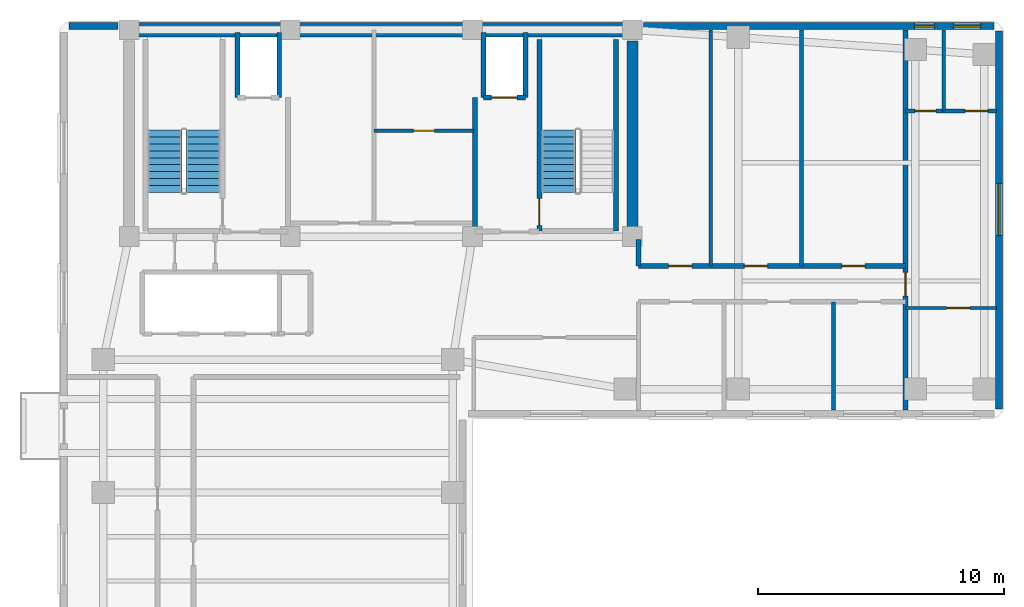
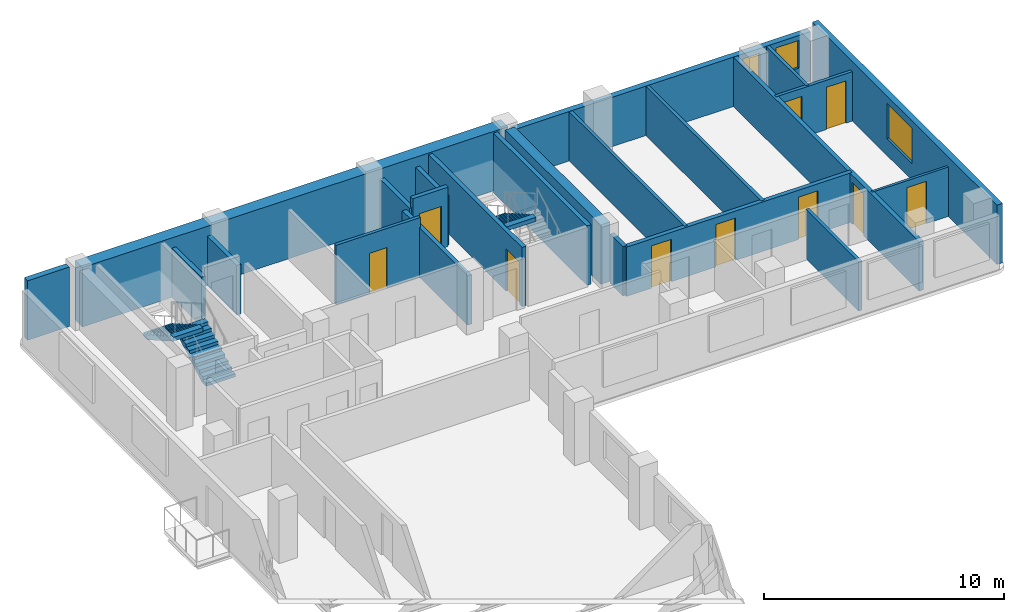
# One storey, part 4 of 7: 23 walls, 10 doors, 3 stair flights, 3 windows, 13 openings, 2 elements without a shape of their own.
"""IFC4 building model written with IfcOpenShell, lengths in metres."""

from ifc_helpers import new_model, si_unit, direction, frame, frame_2d, origin, place, context, subcontext, project, spatial, polyline, rectangle, outline, extrude, material, layer, layer_set, type_object, element, fill, aggregate, save


model = new_model("IFC4")

# Units and contexts
model_context = context("Model", 3, precision=1e-05, world=origin(), true_north=direction((0.0, 1.0)))
body_context = subcontext(model_context, "Body", "Model", "MODEL_VIEW")
ifc_project = project(units=[si_unit("LENGTHUNIT", "METRE"), si_unit("AREAUNIT", "SQUARE_METRE"), si_unit("VOLUMEUNIT", "CUBIC_METRE"), si_unit("PLANEANGLEUNIT", "RADIAN"), si_unit("MASSUNIT", "GRAM", prefix="KILO")], contexts=[model_context])

# Site, building, storey
site_placement = place(None, origin())
site = spatial("IfcSite", under=ifc_project, at=site_placement, CompositionType="ELEMENT")
building_placement = place(site_placement, origin())
building = spatial("IfcBuilding", under=site, at=building_placement, Name="Kuzgunbayir Cultural Tower", CompositionType="ELEMENT")
storey_placement = place(building_placement, frame((0.0, 0.0, 192.0)))
storey = spatial("IfcBuildingStorey", under=building, at=storey_placement, Name="L56", CompositionType="ELEMENT", Elevation=192.0)

# Walls
ifc_material_1 = material(Name="Concrete C50/60", Category="concrete")
ifc_layer_1 = layer(ifc_material_1, 0.449951171875)
ifc_layer_set_1 = layer_set([ifc_layer_1], Name="Concrete C50/60")
wall_type_1 = type_object("IfcWallType", Name="WAL-CORE-450", PredefinedType="SHEAR", material=ifc_layer_set_1)
wall_1_placement = place(storey_placement, frame((26.89990234375, 33.800048828125, 0.0), z_axis=(0.0, 0.0, 1.0), x_axis=(0.0, 1.0, 0.0)))
element("IfcWall", 1, at=wall_1_placement, inside=storey, type_object=wall_type_1, Name="L56 T1 Core East Shear Wall", PredefinedType="SHEAR", context=body_context, shape_type="SweptSolid", body=[
    extrude(rectangle(XDim=7.949951171875, YDim=0.449951171875, at=frame_2d((3.97509765625, 0.0))), origin(), (0.0, 0.0, 1.0), 3.02001953125),
])
ifc_material_2 = material(Name="Concrete C60/75", Category="concrete")
ifc_layer_2 = layer(ifc_material_2, 0.60009765625)
ifc_layer_set_2 = layer_set([ifc_layer_2], Name="Concrete C60/75")
wall_type_2 = type_object("IfcWallType", Name="WAL-CORE-600", PredefinedType="SHEAR", material=ifc_layer_set_2)
wall_2_placement = place(storey_placement, frame((6.449951171875, 42.199951171875, 0.0), z_axis=(0.0, 0.0, 1.0), x_axis=(1.0, 0.0, 0.0)))
element("IfcWall", 2, at=wall_2_placement, inside=storey, type_object=wall_type_2, Name="L56 T1 Core North Shear Wall", PredefinedType="SHEAR", context=body_context, shape_type="SweptSolid", body=[
    extrude(rectangle(XDim=20.449951171875, YDim=0.60009765625, at=frame_2d((10.22509765625, 0.0))), origin(), (0.0, 0.0, 1.0), 3.02001953125),
])

# Wall, openings, windows
ifc_material_3 = material(Name="Anatolian Cream Limestone", Category="masonry")
ifc_layer_3 = layer(ifc_material_3, 0.280029296875)
ifc_layer_set_3 = layer_set([ifc_layer_3], Name="Anatolian Cream Limestone")
wall_type_3 = type_object("IfcWallType", Name="WAL-EXT-STONE-280", PredefinedType="STANDARD", material=ifc_layer_set_3)
wall_3_placement = place(storey_placement, frame((41.60009765625, 42.35009765625, 0.0), z_axis=(0.0, 0.0, 1.0), x_axis=(-1.0, 0.0, 0.0)))
wall_3 = element("IfcWall", 3, at=wall_3_placement, inside=storey, type_object=wall_type_3, Name="L56 North Wing B Limestone Wall", PredefinedType="STANDARD", context=body_context, shape_type="SweptSolid", body=[
    extrude(rectangle(XDim=14.25, YDim=0.280029296875, at=frame_2d((7.125, 0.0))), origin(), (0.0, 0.0, 1.0), 2.510009765625),
])
opening_1_placement = place(wall_3_placement, frame((2.429931640625, 0.0, 0.85009765625)))
opening_1 = element("IfcOpeningElement", 4, at=opening_1_placement, cuts=wall_3, Name="Opening WN-08", PredefinedType="OPENING", context=body_context, shape_type="SweptSolid", body=[
    extrude(rectangle(XDim=0.800048828125, YDim=1.409912109375, at=frame_2d((0.39990234375, 0.705078125))), frame((0.0, 0.14990234375, 0.0), z_axis=(0.0, -1.0, 0.0), x_axis=(1.0, 0.0, 0.0)), (0.0, 0.0, 1.0), 0.300048828125),
])
opening_2_placement = place(wall_3_placement, frame((0.550048828125, 0.0, 0.85009765625)))
opening_2 = element("IfcOpeningElement", 5, at=opening_2_placement, cuts=wall_3, Name="Opening WN-11", PredefinedType="OPENING", context=body_context, shape_type="SweptSolid", body=[
    extrude(rectangle(XDim=1.10009765625, YDim=1.409912109375, at=frame_2d((0.550048828125, 0.705078125))), frame((0.0, 0.14990234375, 0.0), z_axis=(0.0, -1.0, 0.0), x_axis=(1.0, 0.0, 0.0)), (0.0, 0.0, 1.0), 0.300048828125),
])
ifc_material_4 = material(Name="Solar-Control Triple Glazing", Category="glass")
window_type_1 = type_object("IfcWindowType", Name="WIN-NARROW-11", PartitioningType="SINGLE_PANEL", PredefinedType="WINDOW", material=ifc_material_4)
window_1_placement = place(opening_2_placement, origin())
window_1 = element("IfcWindow", 6, at=window_1_placement, inside=storey, type_object=window_type_1, Name="L56 CRN Facade Window 9", OverallHeight=1.409912109375, OverallWidth=1.10009765625, PartitioningType="SINGLE_PANEL", PredefinedType="WINDOW", context=body_context, shape_type="SweptSolid", body=[
    extrude(rectangle(XDim=1.10009765625, YDim=1.409912109375, at=frame_2d((0.550048828125, 0.705078125))), frame((0.0, 0.030029296875, 0.0), z_axis=(0.0, -1.0, 0.0), x_axis=(1.0, 0.0, 0.0)), (0.0, 0.0, 1.0), 0.06005859375),
])
fill(opening_2, window_1)
window_type_2 = type_object("IfcWindowType", Name="WIN-NARROW-80", PartitioningType="SINGLE_PANEL", PredefinedType="WINDOW", material=ifc_material_4)
window_2_placement = place(opening_1_placement, origin())
window_2 = element("IfcWindow", 7, at=window_2_placement, inside=storey, type_object=window_type_2, Name="L56 CRN Facade Window 8", OverallHeight=1.409912109375, OverallWidth=0.800048828125, PartitioningType="SINGLE_PANEL", PredefinedType="WINDOW", context=body_context, shape_type="SweptSolid", body=[
    extrude(rectangle(XDim=0.800048828125, YDim=1.409912109375, at=frame_2d((0.39990234375, 0.705078125))), frame((0.0, 0.030029296875, 0.0), z_axis=(0.0, -1.0, 0.0), x_axis=(1.0, 0.0, 0.0)), (0.0, 0.0, 1.0), 0.06005859375),
])
fill(opening_1, window_2)

# Wall
wall_4_placement = place(storey_placement, frame((6.0, 42.35009765625, 0.0), z_axis=(0.0, 0.0, 1.0), x_axis=(-1.0, 0.0, 0.0)))
element("IfcWall", 8, at=wall_4_placement, inside=storey, type_object=wall_type_3, Name="L56 Core North-West Spandrel Link", PredefinedType="STANDARD", context=body_context, shape_type="SweptSolid", body=[
    extrude(rectangle(XDim=2.0, YDim=0.280029296875, at=frame_2d((1.0, 0.0))), origin(), (0.0, 0.0, 1.0), 3.02001953125),
])

# Wall, opening, window
wall_5_placement = place(storey_placement, frame((41.800048828125, 26.800048828125, 0.0), z_axis=(0.0, 0.0, 1.0), x_axis=(0.0, 1.0, 0.0)))
wall_5 = element("IfcWall", 9, at=wall_5_placement, inside=storey, type_object=wall_type_3, Name="L56 Wing B East Limestone Wall", PredefinedType="STANDARD", context=body_context, shape_type="SweptSolid", body=[
    extrude(rectangle(XDim=15.349853515625, YDim=0.280029296875, at=frame_2d((7.6748046875, 0.0))), origin(), (0.0, 0.0, 1.0), 3.02001953125),
])
opening_3_placement = place(wall_5_placement, frame((7.050048828125, 0.0, 0.85009765625)))
opening_3 = element("IfcOpeningElement", 10, at=opening_3_placement, cuts=wall_5, Name="Opening WR-21", PredefinedType="OPENING", context=body_context, shape_type="SweptSolid", body=[
    extrude(rectangle(XDim=2.10009765625, YDim=1.800048828125, at=frame_2d((1.050048828125, 0.89990234375))), frame((0.0, 0.14990234375, 0.0), z_axis=(0.0, -1.0, 0.0), x_axis=(1.0, 0.0, 0.0)), (0.0, 0.0, 1.0), 0.300048828125),
])
window_type_3 = type_object("IfcWindowType", Name="WIN-RESID-21", PartitioningType="SINGLE_PANEL", PredefinedType="WINDOW", material=ifc_material_4)
window_3_placement = place(opening_3_placement, origin())
window_3 = element("IfcWindow", 11, at=window_3_placement, inside=storey, type_object=window_type_3, Name="L56 WBE Facade Window 6", OverallHeight=1.800048828125, OverallWidth=2.10009765625, PartitioningType="SINGLE_PANEL", PredefinedType="WINDOW", context=body_context, shape_type="SweptSolid", body=[
    extrude(rectangle(XDim=2.10009765625, YDim=1.800048828125, at=frame_2d((1.050048828125, 0.89990234375))), frame((0.0, 0.030029296875, 0.0), z_axis=(0.0, -1.0, 0.0), x_axis=(1.0, 0.0, 0.0)), (0.0, 0.0, 1.0), 0.06005859375),
])
fill(opening_3, window_3)

# Wall, opening, door
ifc_material_5 = material(Name="Acoustic Double-Stud Drywall", Category="gypsum")
ifc_layer_4 = layer(ifc_material_5, 0.14990234375)
ifc_layer_set_4 = layer_set([ifc_layer_4], Name="Acoustic Double-Stud Drywall")
wall_type_4 = type_object("IfcWallType", Name="WAL-PART-ACOUSTIC-150", PredefinedType="PARTITIONING", material=ifc_layer_set_4)
wall_6_placement = place(storey_placement, frame((16.39990234375, 38.10009765625, 0.0), z_axis=(0.0, 0.0, 1.0), x_axis=(1.0, 0.0, 0.0)))
wall_6 = element("IfcWall", 12, at=wall_6_placement, inside=storey, type_object=wall_type_4, Name="L56 Sky Core Mid Divider", PredefinedType="PARTITIONING", context=body_context, shape_type="SweptSolid", body=[
    extrude(rectangle(XDim=4.050048828125, YDim=0.14990234375, at=frame_2d((2.02490234375, 0.0))), origin(), (0.0, 0.0, 1.0), 3.02001953125),
])
opening_4_placement = place(wall_6_placement, frame((1.60009765625, 0.0, 0.0)))
opening_4 = element("IfcOpeningElement", 13, at=opening_4_placement, cuts=wall_6, Name="Opening DC-85", PredefinedType="OPENING", context=body_context, shape_type="SweptSolid", body=[
    extrude(rectangle(XDim=0.85009765625, YDim=2.050048828125, at=frame_2d((0.425048828125, 1.02490234375))), frame((0.0, 0.0849609375, 0.0), z_axis=(0.0, -1.0, 0.0), x_axis=(1.0, 0.0, 0.0)), (0.0, 0.0, 1.0), 0.169921875),
])
ifc_material_6 = material(Name="Fire-Rated Veneered Oak Leaf", Category="wood")
door_type_1 = type_object("IfcDoorType", Name="DR-CORE-85", OperationType="NOTDEFINED", PredefinedType="DOOR", material=ifc_material_6)
door_1_placement = place(opening_4_placement, origin())
door_1 = element("IfcDoor", 14, at=door_1_placement, inside=storey, type_object=door_type_1, Name="L56 Meditation Room Door", OperationType="SINGLE_SWING_LEFT", OverallHeight=2.050048828125, OverallWidth=0.85009765625, PredefinedType="DOOR", context=body_context, shape_type="SweptSolid", body=[
    extrude(rectangle(XDim=0.85009765625, YDim=2.050048828125, at=frame_2d((0.425048828125, 1.02490234375))), frame((0.0, 0.02490234375, 0.0), z_axis=(0.0, -1.0, 0.0), x_axis=(1.0, 0.0, 0.0)), (0.0, 0.0, 1.0), 0.050048828125),
])
fill(opening_4, door_1)

# Walls
wall_7_placement = place(storey_placement, frame((35.070068359375, 26.75, 0.0), z_axis=(0.0, 0.0, 1.0), x_axis=(0.0, 1.0, 0.0)))
element("IfcWall", 15, at=wall_7_placement, inside=storey, type_object=wall_type_4, Name="L56 Wing B South Divider 2", PredefinedType="PARTITIONING", context=body_context, shape_type="SweptSolid", body=[
    extrude(rectangle(XDim=4.39990234375, YDim=0.14990234375, at=frame_2d((2.199951171875, 0.0))), origin(), (0.0, 0.0, 1.0), 2.510009765625),
])
for number, where, z_axis, x_axis, name in (
    (16, (30.080078125, 32.60009765625, 0.0), (0.0, 0.0, 1.0), (0.0, 1.0, 0.0), "L56 Wing B North Divider 1"),
    (17, (33.77001953125, 32.60009765625, 0.0), (0.0, 0.0, 1.0), (0.0, 1.0, 0.0), "L56 Wing B North Divider 2"),
):
    element("IfcWall", number, at=place(storey_placement, frame(where, z_axis=z_axis, x_axis=x_axis)), inside=storey, type_object=wall_type_4, Name=name, PredefinedType="PARTITIONING", context=body_context, shape_type="SweptSolid", body=[
        extrude(rectangle(XDim=9.599853515625, YDim=0.14990234375, at=frame_2d((4.7998046875, 0.0))), origin(), (0.0, 0.0, 1.0), 2.510009765625),
    ])
ifc_material_7 = material(Name="Aerated Concrete Blockwork", Category="masonry")
ifc_layer_5 = layer(ifc_material_7, 0.199951171875)
ifc_layer_set_5 = layer_set([ifc_layer_5], Name="Aerated Concrete Blockwork")
wall_type_5 = type_object("IfcWallType", Name="WAL-PART-FIRE-200", PredefinedType="PARTITIONING", material=ifc_layer_set_5)
wall_8_placement = place(storey_placement, frame((20.5, 34.0, 0.0), z_axis=(0.0, 0.0, 1.0), x_axis=(0.0, 1.0, 0.0)))
element("IfcWall", 18, at=wall_8_placement, inside=storey, type_object=wall_type_5, Name="L56 FFL-2 Lobby West Fire Wall", PredefinedType="PARTITIONING", context=body_context, shape_type="SweptSolid", body=[
    extrude(rectangle(XDim=5.449951171875, YDim=0.199951171875, at=frame_2d((2.72509765625, 0.0))), origin(), (0.0, 0.0, 1.0), 2.510009765625),
])

# Wall, openings, doors
wall_9_placement = place(storey_placement, frame((27.14990234375, 32.60009765625, 0.0), z_axis=(0.0, 0.0, 1.0), x_axis=(1.0, 0.0, 0.0)))
wall_9 = element("IfcWall", 19, at=wall_9_placement, inside=storey, type_object=wall_type_5, Name="L56 Wing B Residence Corridor North Wall", PredefinedType="PARTITIONING", context=body_context, shape_type="SweptSolid", body=[
    extrude(rectangle(XDim=10.85009765625, YDim=0.199951171875, at=frame_2d((5.425048828125, 0.0))), origin(), (0.0, 0.0, 1.0), 2.510009765625),
])
opening_5_placement = place(wall_9_placement, frame((1.219970703125, 0.0, 0.0)))
opening_5 = element("IfcOpeningElement", 20, at=opening_5_placement, cuts=wall_9, Name="Opening DI-90", PredefinedType="OPENING", context=body_context, shape_type="SweptSolid", body=[
    extrude(rectangle(XDim=0.949951171875, YDim=2.14990234375, at=frame_2d((0.47509765625, 1.074951171875))), frame((0.0, 0.10986328125, 0.0), z_axis=(0.0, -1.0, 0.0), x_axis=(1.0, 0.0, 0.0)), (0.0, 0.0, 1.0), 0.219970703125),
])
opening_6_placement = place(wall_9_placement, frame((4.300048828125, 0.0, 0.0)))
opening_6 = element("IfcOpeningElement", 21, at=opening_6_placement, cuts=wall_9, Name="Opening DI-90", PredefinedType="OPENING", context=body_context, shape_type="SweptSolid", body=[
    extrude(rectangle(XDim=0.949951171875, YDim=2.14990234375, at=frame_2d((0.47509765625, 1.074951171875))), frame((0.0, 0.10986328125, 0.0), z_axis=(0.0, -1.0, 0.0), x_axis=(1.0, 0.0, 0.0)), (0.0, 0.0, 1.0), 0.219970703125),
])
opening_7_placement = place(wall_9_placement, frame((8.260009765625, 0.0, 0.0)))
opening_7 = element("IfcOpeningElement", 22, at=opening_7_placement, cuts=wall_9, Name="Opening DI-90", PredefinedType="OPENING", context=body_context, shape_type="SweptSolid", body=[
    extrude(rectangle(XDim=0.949951171875, YDim=2.14990234375, at=frame_2d((0.47509765625, 1.074951171875))), frame((0.0, 0.10986328125, 0.0), z_axis=(0.0, -1.0, 0.0), x_axis=(1.0, 0.0, 0.0)), (0.0, 0.0, 1.0), 0.219970703125),
])
ifc_material_8 = material(Name="Veneered Oak Single Leaf", Category="wood")
door_type_2 = type_object("IfcDoorType", Name="DR-INT-90", OperationType="NOTDEFINED", PredefinedType="DOOR", material=ifc_material_8)
door_2_placement = place(opening_5_placement, origin())
door_2 = element("IfcDoor", 23, at=door_2_placement, inside=storey, type_object=door_type_2, Name="L56 Residents Art Publication Salon 1 Door", OperationType="SINGLE_SWING_RIGHT", OverallHeight=2.14990234375, OverallWidth=0.949951171875, PredefinedType="DOOR", context=body_context, shape_type="SweptSolid", body=[
    extrude(rectangle(XDim=0.949951171875, YDim=2.14990234375, at=frame_2d((0.47509765625, 1.074951171875))), frame((0.0, 0.02490234375, 0.0), z_axis=(0.0, -1.0, 0.0), x_axis=(1.0, 0.0, 0.0)), (0.0, 0.0, 1.0), 0.050048828125),
])
fill(opening_5, door_2)
door_3_placement = place(opening_6_placement, origin())
door_3 = element("IfcDoor", 24, at=door_3_placement, inside=storey, type_object=door_type_2, Name="L56 Residents Culinary Tasting Pantry 2 Door", OperationType="SINGLE_SWING_LEFT", OverallHeight=2.14990234375, OverallWidth=0.949951171875, PredefinedType="DOOR", context=body_context, shape_type="SweptSolid", body=[
    extrude(rectangle(XDim=0.949951171875, YDim=2.14990234375, at=frame_2d((0.47509765625, 1.074951171875))), frame((0.0, 0.02490234375, 0.0), z_axis=(0.0, -1.0, 0.0), x_axis=(1.0, 0.0, 0.0)), (0.0, 0.0, 1.0), 0.050048828125),
])
fill(opening_6, door_3)
door_4_placement = place(opening_7_placement, origin())
door_4 = element("IfcDoor", 25, at=door_4_placement, inside=storey, type_object=door_type_2, Name="L56 Residents Fellows Reading Lounge 3 Door", OperationType="SINGLE_SWING_RIGHT", OverallHeight=2.14990234375, OverallWidth=0.949951171875, PredefinedType="DOOR", context=body_context, shape_type="SweptSolid", body=[
    extrude(rectangle(XDim=0.949951171875, YDim=2.14990234375, at=frame_2d((0.47509765625, 1.074951171875))), frame((0.0, 0.02490234375, 0.0), z_axis=(0.0, -1.0, 0.0), x_axis=(1.0, 0.0, 0.0)), (0.0, 0.0, 1.0), 0.050048828125),
])
fill(opening_7, door_4)

# Wall
wall_10_placement = place(storey_placement, frame((27.14990234375, 32.60009765625, 0.0), z_axis=(0.0, 0.0, 1.0), x_axis=(0.0, 1.0, 0.0)))
element("IfcWall", 26, at=wall_10_placement, inside=storey, type_object=wall_type_5, Name="L56 Wing B Residence North Core Closure Wall", PredefinedType="PARTITIONING", context=body_context, shape_type="SweptSolid", body=[
    extrude(rectangle(XDim=1.079833984375, YDim=0.199951171875, at=frame_2d((0.5400390625, 0.0))), origin(), (0.0, 0.0, 1.0), 2.510009765625),
])

# Wall, opening, door
wall_11_placement = place(storey_placement, frame((38.0, 26.75, 0.0), z_axis=(0.0, 0.0, 1.0), x_axis=(0.0, 1.0, 0.0)))
wall_11 = element("IfcWall", 27, at=wall_11_placement, inside=storey, type_object=wall_type_5, Name="L56 Apartment D Party Wall", PredefinedType="PARTITIONING", context=body_context, shape_type="SweptSolid", body=[
    extrude(rectangle(XDim=15.449951171875, YDim=0.199951171875, at=frame_2d((7.72509765625, 0.0))), origin(), (0.0, 0.0, 1.0), 2.510009765625),
])
opening_8_placement = place(wall_11_placement, frame((4.639892578125, 0.0, 0.0)))
opening_8 = element("IfcOpeningElement", 28, at=opening_8_placement, cuts=wall_11, Name="Opening DR-APT-60", PredefinedType="OPENING", context=body_context, shape_type="SweptSolid", body=[
    extrude(rectangle(XDim=0.949951171875, YDim=2.14990234375, at=frame_2d((0.47509765625, 1.074951171875))), frame((0.0, 0.10986328125, 0.0), z_axis=(0.0, -1.0, 0.0), x_axis=(1.0, 0.0, 0.0)), (0.0, 0.0, 1.0), 0.219970703125),
])
ifc_material_9 = material(Name="Acoustic Fire Timber Leaf", Category="wood")
door_type_3 = type_object("IfcDoorType", Name="DR-APT-60", OperationType="NOTDEFINED", PredefinedType="DOOR", material=ifc_material_9)
door_5_placement = place(opening_8_placement, origin())
door_5 = element("IfcDoor", 29, at=door_5_placement, inside=storey, type_object=door_type_3, Name="L56 Apartment D Entrance", OperationType="SINGLE_SWING_LEFT", OverallHeight=2.14990234375, OverallWidth=0.949951171875, PredefinedType="DOOR", context=body_context, shape_type="SweptSolid", body=[
    extrude(rectangle(XDim=0.949951171875, YDim=2.14990234375, at=frame_2d((0.47509765625, 1.074951171875))), frame((0.0, 0.02490234375, 0.0), z_axis=(0.0, -1.0, 0.0), x_axis=(1.0, 0.0, 0.0)), (0.0, 0.0, 1.0), 0.050048828125),
])
fill(opening_8, door_5)

ifc_material_10 = material(Name="Framed Gypsum Partition", Category="gypsum")
ifc_layer_6 = layer(ifc_material_10, 0.1201171875)
ifc_layer_set_6 = layer_set([ifc_layer_6], Name="Framed Gypsum Partition")
wall_type_6 = type_object("IfcWallType", Name="WAL-PART-INT-120", PredefinedType="PARTITIONING", material=ifc_layer_set_6)
wall_12_placement = place(storey_placement, frame((38.0, 30.89990234375, 0.0), z_axis=(0.0, 0.0, 1.0), x_axis=(1.0, 0.0, 0.0)))
wall_12 = element("IfcWall", 30, at=wall_12_placement, inside=storey, type_object=wall_type_6, Name="L56 Flat D Bedroom Wall", PredefinedType="PARTITIONING", context=body_context, shape_type="SweptSolid", body=[
    extrude(rectangle(XDim=3.699951171875, YDim=0.1201171875, at=frame_2d((1.85009765625, 0.0))), origin(), (0.0, 0.0, 1.0), 2.510009765625),
])
opening_9_placement = place(wall_12_placement, frame((1.669921875, 0.0, 0.0)))
opening_9 = element("IfcOpeningElement", 31, at=opening_9_placement, cuts=wall_12, Name="Opening DI-90", PredefinedType="OPENING", context=body_context, shape_type="SweptSolid", body=[
    extrude(rectangle(XDim=0.949951171875, YDim=2.14990234375, at=frame_2d((0.47509765625, 1.074951171875))), frame((0.0, 0.070068359375, 0.0), z_axis=(0.0, -1.0, 0.0), x_axis=(1.0, 0.0, 0.0)), (0.0, 0.0, 1.0), 0.14013671875),
])
door_6_placement = place(opening_9_placement, origin())
door_6 = element("IfcDoor", 32, at=door_6_placement, inside=storey, type_object=door_type_2, Name="L56 Apartment D Bedroom Door", OperationType="SINGLE_SWING_RIGHT", OverallHeight=2.14990234375, OverallWidth=0.949951171875, PredefinedType="DOOR", context=body_context, shape_type="SweptSolid", body=[
    extrude(rectangle(XDim=0.949951171875, YDim=2.14990234375, at=frame_2d((0.47509765625, 1.074951171875))), frame((0.0, 0.02490234375, 0.0), z_axis=(0.0, -1.0, 0.0), x_axis=(1.0, 0.0, 0.0)), (0.0, 0.0, 1.0), 0.050048828125),
])
fill(opening_9, door_6)

# Wall, openings, doors
ifc_material_11 = material(Name="Moisture-Resistant Tile Partition", Category="gypsum")
ifc_layer_7 = layer(ifc_material_11, 0.14990234375)
ifc_layer_set_7 = layer_set([ifc_layer_7], Name="Moisture-Resistant Tile Partition")
wall_type_7 = type_object("IfcWallType", Name="WAL-PART-WET-150", PredefinedType="PARTITIONING", material=ifc_layer_set_7)
wall_13_placement = place(storey_placement, frame((38.0, 38.89990234375, 0.0), z_axis=(0.0, 0.0, 1.0), x_axis=(1.0, 0.0, 0.0)))
wall_13 = element("IfcWall", 33, at=wall_13_placement, inside=storey, type_object=wall_type_7, Name="L56 Flat D Service Wall", PredefinedType="PARTITIONING", context=body_context, shape_type="SweptSolid", body=[
    extrude(rectangle(XDim=3.699951171875, YDim=0.14990234375, at=frame_2d((1.85009765625, 0.0))), origin(), (0.0, 0.0, 1.0), 2.510009765625),
])
opening_10_placement = place(wall_13_placement, frame((0.3798828125, 0.0, 0.0)))
opening_10 = element("IfcOpeningElement", 34, at=opening_10_placement, cuts=wall_13, Name="Opening DW-85", PredefinedType="OPENING", context=body_context, shape_type="SweptSolid", body=[
    extrude(rectangle(XDim=0.85009765625, YDim=2.10009765625, at=frame_2d((0.425048828125, 1.050048828125))), frame((0.0, 0.0849609375, 0.0), z_axis=(0.0, -1.0, 0.0), x_axis=(1.0, 0.0, 0.0)), (0.0, 0.0, 1.0), 0.169921875),
])
opening_11_placement = place(wall_13_placement, frame((2.409912109375, 0.0, 0.0)))
opening_11 = element("IfcOpeningElement", 35, at=opening_11_placement, cuts=wall_13, Name="Opening DI-90", PredefinedType="OPENING", context=body_context, shape_type="SweptSolid", body=[
    extrude(rectangle(XDim=0.949951171875, YDim=2.14990234375, at=frame_2d((0.47509765625, 1.074951171875))), frame((0.0, 0.0849609375, 0.0), z_axis=(0.0, -1.0, 0.0), x_axis=(1.0, 0.0, 0.0)), (0.0, 0.0, 1.0), 0.169921875),
])
door_7_placement = place(opening_11_placement, origin())
door_7 = element("IfcDoor", 36, at=door_7_placement, inside=storey, type_object=door_type_2, Name="L56 Apartment D Kitchen Door", OperationType="SINGLE_SWING_RIGHT", OverallHeight=2.14990234375, OverallWidth=0.949951171875, PredefinedType="DOOR", context=body_context, shape_type="SweptSolid", body=[
    extrude(rectangle(XDim=0.949951171875, YDim=2.14990234375, at=frame_2d((0.47509765625, 1.074951171875))), frame((0.0, 0.02490234375, 0.0), z_axis=(0.0, -1.0, 0.0), x_axis=(1.0, 0.0, 0.0)), (0.0, 0.0, 1.0), 0.050048828125),
])
fill(opening_11, door_7)
ifc_material_12 = material(Name="Laminate Moisture-Resistant Leaf", Category="wood")
door_type_4 = type_object("IfcDoorType", Name="DR-WET-85", OperationType="NOTDEFINED", PredefinedType="DOOR", material=ifc_material_12)
door_8_placement = place(opening_10_placement, origin())
door_8 = element("IfcDoor", 37, at=door_8_placement, inside=storey, type_object=door_type_4, Name="L56 Apartment D Bathroom Door", OperationType="SINGLE_SWING_LEFT", OverallHeight=2.10009765625, OverallWidth=0.85009765625, PredefinedType="DOOR", context=body_context, shape_type="SweptSolid", body=[
    extrude(rectangle(XDim=0.85009765625, YDim=2.10009765625, at=frame_2d((0.425048828125, 1.050048828125))), frame((0.0, 0.02490234375, 0.0), z_axis=(0.0, -1.0, 0.0), x_axis=(1.0, 0.0, 0.0)), (0.0, 0.0, 1.0), 0.050048828125),
])
fill(opening_10, door_8)

# Wall
wall_14_placement = place(storey_placement, frame((39.550048828125, 38.89990234375, 0.0), z_axis=(0.0, 0.0, 1.0), x_axis=(0.0, 1.0, 0.0)))
element("IfcWall", 38, at=wall_14_placement, inside=storey, type_object=wall_type_7, Name="L56 Flat D Bath Divider", PredefinedType="PARTITIONING", context=body_context, shape_type="SweptSolid", body=[
    extrude(rectangle(XDim=3.300048828125, YDim=0.14990234375, at=frame_2d((1.64990234375, 0.0))), origin(), (0.0, 0.0, 1.0), 2.510009765625),
])

# Wall, opening, door
ifc_material_13 = material(Name="Concrete C40/50", Category="concrete")
ifc_layer_8 = layer(ifc_material_13, 0.199951171875)
ifc_layer_set_8 = layer_set([ifc_layer_8], Name="Concrete C40/50")
wall_type_8 = type_object("IfcWallType", Name="WAL-SHAFT-200", PredefinedType="MOVABLE", material=ifc_layer_set_8)
wall_15_placement = place(storey_placement, frame((20.85009765625, 39.449951171875, 0.0), z_axis=(0.0, 0.0, 1.0), x_axis=(1.0, 0.0, 0.0)))
wall_15 = element("IfcWall", 39, at=wall_15_placement, inside=storey, type_object=wall_type_8, Name="L56 FFL-2 Lift Front Wall", PredefinedType="MOVABLE", context=body_context, shape_type="SweptSolid", body=[
    extrude(rectangle(XDim=1.699951171875, YDim=0.199951171875, at=frame_2d((0.85009765625, 0.0))), origin(), (0.0, 0.0, 1.0), 3.02001953125),
])
opening_12_placement = place(wall_15_placement, frame((0.320068359375, 0.0, 0.0)))
opening_12 = element("IfcOpeningElement", 40, at=opening_12_placement, cuts=wall_15, Name="Opening LD", PredefinedType="OPENING", context=body_context, shape_type="SweptSolid", body=[
    extrude(rectangle(XDim=1.050048828125, YDim=2.14990234375, at=frame_2d((0.52490234375, 1.074951171875))), frame((0.0, 0.10986328125, 0.0), z_axis=(0.0, -1.0, 0.0), x_axis=(1.0, 0.0, 0.0)), (0.0, 0.0, 1.0), 0.219970703125),
])
ifc_material_14 = material(Name="Brushed Stainless Steel", Category="steel")
door_type_5 = type_object("IfcDoorType", Name="DR-LIFT-LANDING", OperationType="SLIDING_TO_LEFT", PredefinedType="DOOR", material=ifc_material_14)
door_9_placement = place(opening_12_placement, origin())
door_9 = element("IfcDoor", 41, at=door_9_placement, inside=storey, type_object=door_type_5, Name="L56 Lift FFL-2 Landing Door", OperationType="SLIDING_TO_LEFT", OverallHeight=2.14990234375, OverallWidth=1.050048828125, PredefinedType="DOOR", context=body_context, shape_type="SweptSolid", body=[
    extrude(rectangle(XDim=1.050048828125, YDim=2.14990234375, at=frame_2d((0.52490234375, 1.074951171875))), frame((0.0, 0.02490234375, 0.0), z_axis=(0.0, -1.0, 0.0), x_axis=(1.0, 0.0, 0.0)), (0.0, 0.0, 1.0), 0.050048828125),
])
fill(opening_12, door_9)

# Walls
for number, where, z_axis, x_axis, name in (
    (42, (10.85009765625, 39.449951171875, 0.0), (0.0, 0.0, 1.0), (0.0, 1.0, 0.0), "L56 FFL-1 Shaft West Wall"),
    (43, (12.550048828125, 39.449951171875, 0.0), (0.0, 0.0, 1.0), (0.0, 1.0, 0.0), "L56 FFL-1 Shaft East Wall"),
    (44, (20.85009765625, 39.449951171875, 0.0), (0.0, 0.0, 1.0), (0.0, 1.0, 0.0), "L56 FFL-2 Shaft West Wall"),
    (45, (22.550048828125, 39.449951171875, 0.0), (0.0, 0.0, 1.0), (0.0, 1.0, 0.0), "L56 FFL-2 Shaft East Wall"),
):
    element("IfcWall", number, at=place(storey_placement, frame(where, z_axis=z_axis, x_axis=x_axis)), inside=storey, type_object=wall_type_8, Name=name, PredefinedType="MOVABLE", context=body_context, shape_type="SweptSolid", body=[
        extrude(rectangle(XDim=2.650146484375, YDim=0.199951171875, at=frame_2d((1.3251953125, 0.0))), origin(), (0.0, 0.0, 1.0), 2.510009765625),
    ])

# Wall, opening, door
ifc_layer_9 = layer(ifc_material_13, 0.199951171875)
ifc_layer_set_9 = layer_set([ifc_layer_9], Name="Concrete C40/50")
wall_type_9 = type_object("IfcWallType", Name="WAL-STAIR-RC-200", PredefinedType="SHEAR", material=ifc_layer_set_9)
wall_16_placement = place(storey_placement, frame((23.1201171875, 34.02001953125, 0.0), z_axis=(0.0, 0.0, 1.0), x_axis=(0.0, 1.0, 0.0)))
wall_16 = element("IfcWall", 46, at=wall_16_placement, inside=storey, type_object=wall_type_9, Name="L56 Stair ST-2 West Structural Wall", PredefinedType="SHEAR", context=body_context, shape_type="SweptSolid", body=[
    extrude(rectangle(XDim=7.780029296875, YDim=0.199951171875, at=frame_2d((3.89013671875, 0.0))), origin(), (0.0, 0.0, 1.0), 3.02001953125),
])
opening_13_placement = place(wall_16_placement, frame((0.219970703125, 0.0, 0.0)))
opening_13 = element("IfcOpeningElement", 47, at=opening_13_placement, cuts=wall_16, Name="Opening DR-STAIR-90", PredefinedType="OPENING", context=body_context, shape_type="SweptSolid", body=[
    extrude(rectangle(XDim=1.10009765625, YDim=2.14990234375, at=frame_2d((0.550048828125, 1.074951171875))), frame((0.0, 0.10986328125, 0.0), z_axis=(0.0, -1.0, 0.0), x_axis=(1.0, 0.0, 0.0)), (0.0, 0.0, 1.0), 0.219970703125),
])
ifc_material_15 = material(Name="Steel S355J2", Category="steel")
door_type_6 = type_object("IfcDoorType", Name="DR-STAIR-90", OperationType="NOTDEFINED", PredefinedType="DOOR", material=ifc_material_15)
door_10_placement = place(opening_13_placement, origin())
door_10 = element("IfcDoor", 48, at=door_10_placement, inside=storey, type_object=door_type_6, Name="L56 Stair ST-2 Fire Door", OperationType="SINGLE_SWING_RIGHT", OverallHeight=2.14990234375, OverallWidth=1.10009765625, PredefinedType="DOOR", context=body_context, shape_type="SweptSolid", body=[
    extrude(rectangle(XDim=1.10009765625, YDim=2.14990234375, at=frame_2d((0.550048828125, 1.074951171875))), frame((0.0, 0.02490234375, 0.0), z_axis=(0.0, -1.0, 0.0), x_axis=(1.0, 0.0, 0.0)), (0.0, 0.0, 1.0), 0.050048828125),
])
fill(opening_13, door_10)

# Wall
wall_17_placement = place(storey_placement, frame((26.239990234375, 34.02001953125, 0.0), z_axis=(0.0, 0.0, 1.0), x_axis=(0.0, 1.0, 0.0)))
element("IfcWall", 49, at=wall_17_placement, inside=storey, type_object=wall_type_9, Name="L56 Stair ST-2 East Structural Wall", PredefinedType="SHEAR", context=body_context, shape_type="SweptSolid", body=[
    extrude(rectangle(XDim=7.780029296875, YDim=0.199951171875, at=frame_2d((3.89013671875, 0.0))), origin(), (0.0, 0.0, 1.0), 3.02001953125),
])

# Stair, stair flights
stair_type = type_object("IfcStairType", Name="STR-EXIT-CORE", PredefinedType="HALF_TURN_STAIR", material=ifc_material_13)
stair_1_placement = place(storey_placement, origin())
stair_1 = element("IfcStair", 50, at=stair_1_placement, inside=storey, type_object=stair_type, Name="L56 ST-1", PredefinedType="HALF_TURN_STAIR")
stair_flight_type = type_object("IfcStairFlightType", Name="STRF-RC-140", PredefinedType="STRAIGHT", material=ifc_material_13)
stair_flight_1_placement = place(storey_placement, frame((9.4599609375, 35.60009765625, 0.0), z_axis=(0.0, 0.0, 1.0), x_axis=(0.0, 1.0, 0.0)))
stair_flight_1 = element("IfcStairFlight", 51, at=stair_flight_1_placement, type_object=stair_flight_type, Name="ST-1 flight 1", NumberOfRisers=10, NumberOfTreads=9, PredefinedType="STRAIGHT", RiserHeight=0.16, TreadLength=0.28, context=body_context, shape_type="SweptSolid", body=[
    extrude(outline(polyline([(0.0, 0.0), (0.0, 0.159912109375), (0.280029296875, 0.159912109375), (0.280029296875, 0.320068359375), (0.56005859375, 0.320068359375), (0.56005859375, 0.47998046875), (0.840087890625, 0.47998046875), (0.840087890625, 0.639892578125), (1.1201171875, 0.639892578125), (1.1201171875, 0.800048828125), (1.39990234375, 0.800048828125), (1.39990234375, 0.9599609375), (1.679931640625, 0.9599609375), (1.679931640625, 1.1201171875), (1.9599609375, 1.1201171875), (1.9599609375, 1.280029296875), (2.239990234375, 1.280029296875), (2.239990234375, 1.43994140625), (2.52001953125, 1.43994140625), (2.52001953125, 1.60009765625), (2.52001953125, 1.232666015625), (0.362548828125, 0.0), (0.0, 0.0)])), frame((0.0, 0.699951171875, 0.0), z_axis=(0.0, -1.0, 0.0), x_axis=(1.0, 0.0, 0.0)), (0.0, 0.0, 1.0), 1.39990234375),
])
stair_flight_2_placement = place(storey_placement, frame((7.89990234375, 38.1201171875, 1.60009765625), z_axis=(0.0, 0.0, 1.0), x_axis=(0.0, -1.0, 0.0)))
stair_flight_2 = element("IfcStairFlight", 52, at=stair_flight_2_placement, type_object=stair_flight_type, Name="ST-1 flight 2", NumberOfRisers=10, NumberOfTreads=9, PredefinedType="STRAIGHT", RiserHeight=0.16, TreadLength=0.28, context=body_context, shape_type="SweptSolid", body=[
    extrude(outline(polyline([(0.0, 0.0), (0.0, 0.159912109375), (0.280029296875, 0.159912109375), (0.280029296875, 0.320068359375), (0.56005859375, 0.320068359375), (0.56005859375, 0.47998046875), (0.840087890625, 0.47998046875), (0.840087890625, 0.639892578125), (1.1201171875, 0.639892578125), (1.1201171875, 0.800048828125), (1.39990234375, 0.800048828125), (1.39990234375, 0.9599609375), (1.679931640625, 0.9599609375), (1.679931640625, 1.1201171875), (1.9599609375, 1.1201171875), (1.9599609375, 1.280029296875), (2.239990234375, 1.280029296875), (2.239990234375, 1.43994140625), (2.52001953125, 1.43994140625), (2.52001953125, 1.60009765625), (2.52001953125, 1.232666015625), (0.362548828125, 0.0), (0.0, 0.0)])), frame((0.0, 0.699951171875, 0.0), z_axis=(0.0, -1.0, 0.0), x_axis=(1.0, 0.0, 0.0)), (0.0, 0.0, 1.0), 1.39990234375),
])
aggregate(stair_1, [stair_flight_1, stair_flight_2])

# Stair, stair flight
stair_2_placement = place(storey_placement, origin())
stair_2 = element("IfcStair", 53, at=stair_2_placement, inside=storey, type_object=stair_type, Name="L56 ST-2", PredefinedType="HALF_TURN_STAIR")
stair_flight_3_placement = place(storey_placement, frame((23.89990234375, 38.1201171875, 1.60009765625), z_axis=(0.0, 0.0, 1.0), x_axis=(0.0, -1.0, 0.0)))
stair_flight_3 = element("IfcStairFlight", 54, at=stair_flight_3_placement, type_object=stair_flight_type, Name="ST-2 flight 2", NumberOfRisers=10, NumberOfTreads=9, PredefinedType="STRAIGHT", RiserHeight=0.16, TreadLength=0.28, context=body_context, shape_type="SweptSolid", body=[
    extrude(outline(polyline([(0.0, 0.0), (0.0, 0.159912109375), (0.280029296875, 0.159912109375), (0.280029296875, 0.320068359375), (0.56005859375, 0.320068359375), (0.56005859375, 0.47998046875), (0.840087890625, 0.47998046875), (0.840087890625, 0.639892578125), (1.1201171875, 0.639892578125), (1.1201171875, 0.800048828125), (1.39990234375, 0.800048828125), (1.39990234375, 0.9599609375), (1.679931640625, 0.9599609375), (1.679931640625, 1.1201171875), (1.9599609375, 1.1201171875), (1.9599609375, 1.280029296875), (2.239990234375, 1.280029296875), (2.239990234375, 1.43994140625), (2.52001953125, 1.43994140625), (2.52001953125, 1.60009765625), (2.52001953125, 1.232666015625), (0.362548828125, 0.0), (0.0, 0.0)])), frame((0.0, 0.699951171875, 0.0), z_axis=(0.0, -1.0, 0.0), x_axis=(1.0, 0.0, 0.0)), (0.0, 0.0, 1.0), 1.39990234375),
])
aggregate(stair_2, [stair_flight_3])

save(model, "model.ifc")
